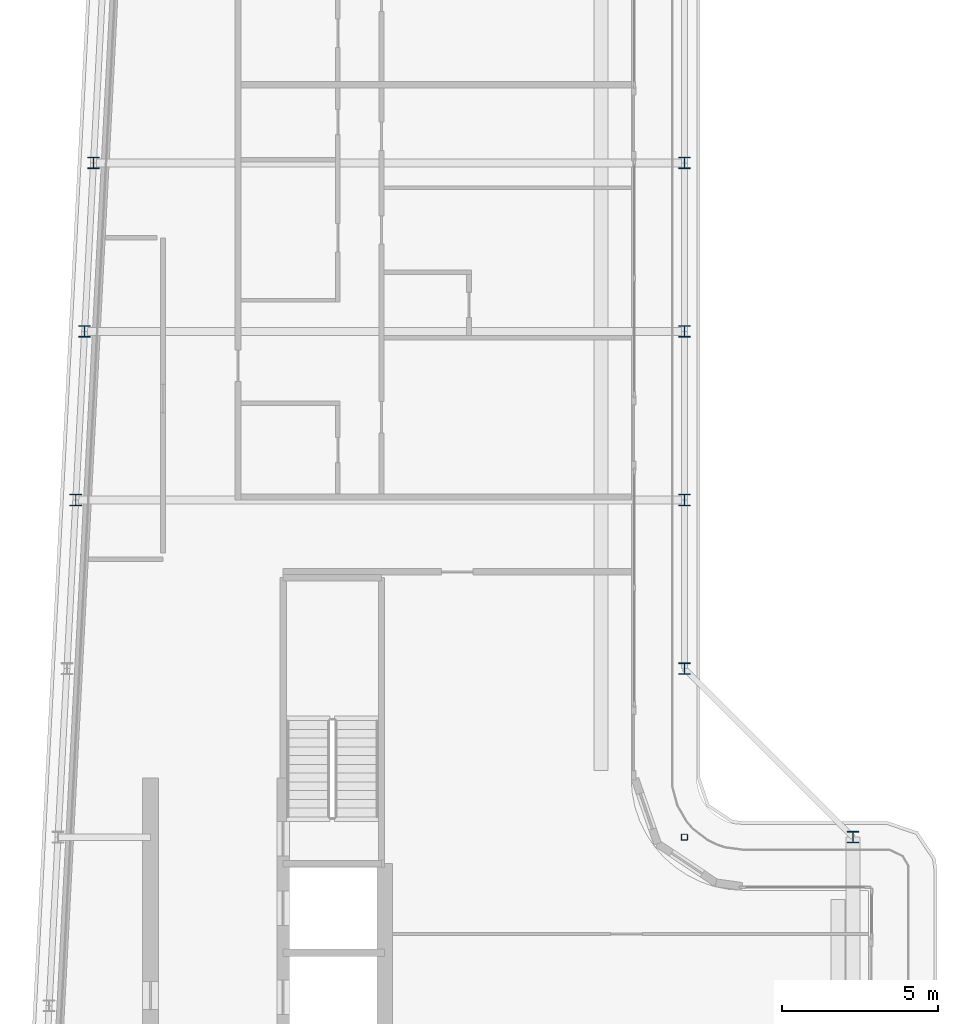
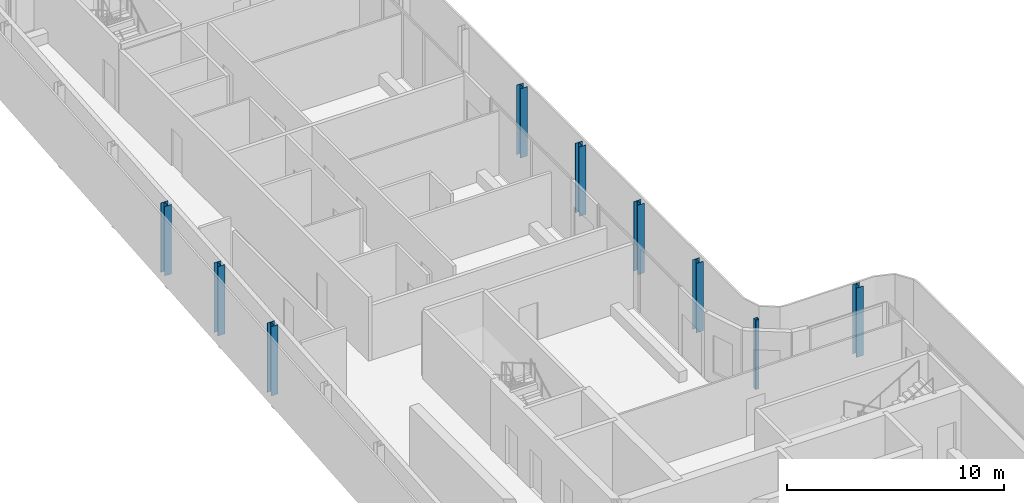
# One storey, part 2 of 15: 9 columns.
"""IFC4 building model written with IfcOpenShell, lengths in metres."""

from ifc_helpers import new_model, si_unit, direction, frame, origin, origin_2d, place, context, subcontext, project, spatial, hollow_rectangle, i_section, extrude, material, material_profile, profile_set, type_object, element, save


model = new_model("IFC4")

# Units and contexts
model_context = context("Model", 3, precision=1e-05, world=origin(), true_north=direction((0.0, 1.0)))
body_context = subcontext(model_context, "Body", "Model", "MODEL_VIEW")
ifc_project = project(units=[si_unit("LENGTHUNIT", "METRE"), si_unit("AREAUNIT", "SQUARE_METRE"), si_unit("VOLUMEUNIT", "CUBIC_METRE"), si_unit("PLANEANGLEUNIT", "RADIAN"), si_unit("MASSUNIT", "GRAM", prefix="KILO")], contexts=[model_context])

# Site, building, storey
site_placement = place(None, origin())
site = spatial("IfcSite", under=ifc_project, at=site_placement, CompositionType="ELEMENT")
building_placement = place(site_placement, origin())
building = spatial("IfcBuilding", under=site, at=building_placement, Name="Kheshtan School and Residences Tower", CompositionType="ELEMENT")
storey_placement = place(building_placement, frame((0.0, 0.0, 338.300048828125)))
storey = spatial("IfcBuildingStorey", under=building, at=storey_placement, Name="L79", CompositionType="ELEMENT", Elevation=338.300048828125)

# Columns
ifc_material_1 = material(Name="Steel ASTM A992 Grade 50", Category="steel")
ifc_material_profile_1 = material_profile(ifc_material_1, i_section(OverallWidth=0.37109375, OverallDepth=0.364013671875, WebThickness=0.01318359375, FlangeThickness=0.021728515625, FilletRadius=0.010986328125, at=origin_2d()), Name="W360x162")
ifc_profile_set_1 = profile_set([ifc_material_profile_1], Name="Steel ASTM A992 Grade 50")
column_type_1 = type_object("IfcColumnType", Name="Column C6 W360x162 ASTM A992 Grade 50", PredefinedType="COLUMN", material=ifc_profile_set_1)
for number, where, z_axis, x_axis, name in (
    (1, (53.0, 45.60009765625, 0.0), (0.0, 0.0, 1.0), (1.0, 0.0, 0.0), "Column C061"),
    (2, (47.60009765625, 51.0, 0.0), (0.0, 0.0, 1.0), (1.0, 0.0, 0.0), "Column C079"),
    (3, (28.10595703125, 56.39990234375, 0.0), (0.0, 0.0, 1.0), (1.0, 0.0, 0.0), "Column C080"),
    (4, (47.60009765625, 56.39990234375, 0.0), (0.0, 0.0, 1.0), (1.0, 0.0, 0.0), "Column C081"),
    (5, (28.389892578125, 61.800048828125, 0.0), (0.0, 0.0, 1.0), (1.0, 0.0, 0.0), "Column C082"),
    (6, (47.60009765625, 61.800048828125, 0.0), (0.0, 0.0, 1.0), (1.0, 0.0, 0.0), "Column C083"),
    (7, (28.674072265625, 67.199951171875, 0.0), (0.0, 0.0, 1.0), (1.0, 0.0, 0.0), "Column C084"),
    (8, (47.60009765625, 67.199951171875, 0.0), (0.0, 0.0, 1.0), (1.0, 0.0, 0.0), "Column C085"),
):
    element("IfcColumn", number, at=place(storey_placement, frame(where, z_axis=z_axis, x_axis=x_axis)), inside=storey, type_object=column_type_1, Name=name, PredefinedType="COLUMN", context=body_context, shape_type="SweptSolid", body=[
        extrude(i_section(OverallWidth=0.37109375, OverallDepth=0.364013671875, WebThickness=0.01318359375, FlangeThickness=0.021728515625, FilletRadius=0.010986328125, at=origin_2d()), origin(), (0.0, 0.0, 1.0), 3.89990234375),
    ])
ifc_material_2 = material(Name="Steel ASTM A500 Grade C", Category="steel")
ifc_material_profile_2 = material_profile(ifc_material_2, hollow_rectangle(XDim=0.202880859375, YDim=0.202880859375, WallThickness=0.0126953125, InnerFilletRadius=0.0126953125, OuterFilletRadius=0.025390625, at=origin_2d()), Name="HSS 203x203x12.7")
ifc_profile_set_2 = profile_set([ifc_material_profile_2], Name="Steel ASTM A500 Grade C")
column_type_2 = type_object("IfcColumnType", Name="Column IC4 HSS 203x203x12.7 ASTM A500 Grade C", PredefinedType="COLUMN", material=ifc_profile_set_2)
column_placement = place(storey_placement, frame((47.60009765625, 45.60009765625, 0.0), z_axis=(0.0, 0.0, 1.0), x_axis=(1.0, 0.0, 0.0)))
element("IfcColumn", 9, at=column_placement, inside=storey, type_object=column_type_2, Name="Column C060", PredefinedType="COLUMN", context=body_context, shape_type="SweptSolid", body=[
    extrude(hollow_rectangle(XDim=0.202880859375, YDim=0.202880859375, WallThickness=0.0126953125, InnerFilletRadius=0.0126953125, OuterFilletRadius=0.025390625, at=origin_2d()), origin(), (0.0, 0.0, 1.0), 3.89990234375),
])

save(model, "model.ifc")
